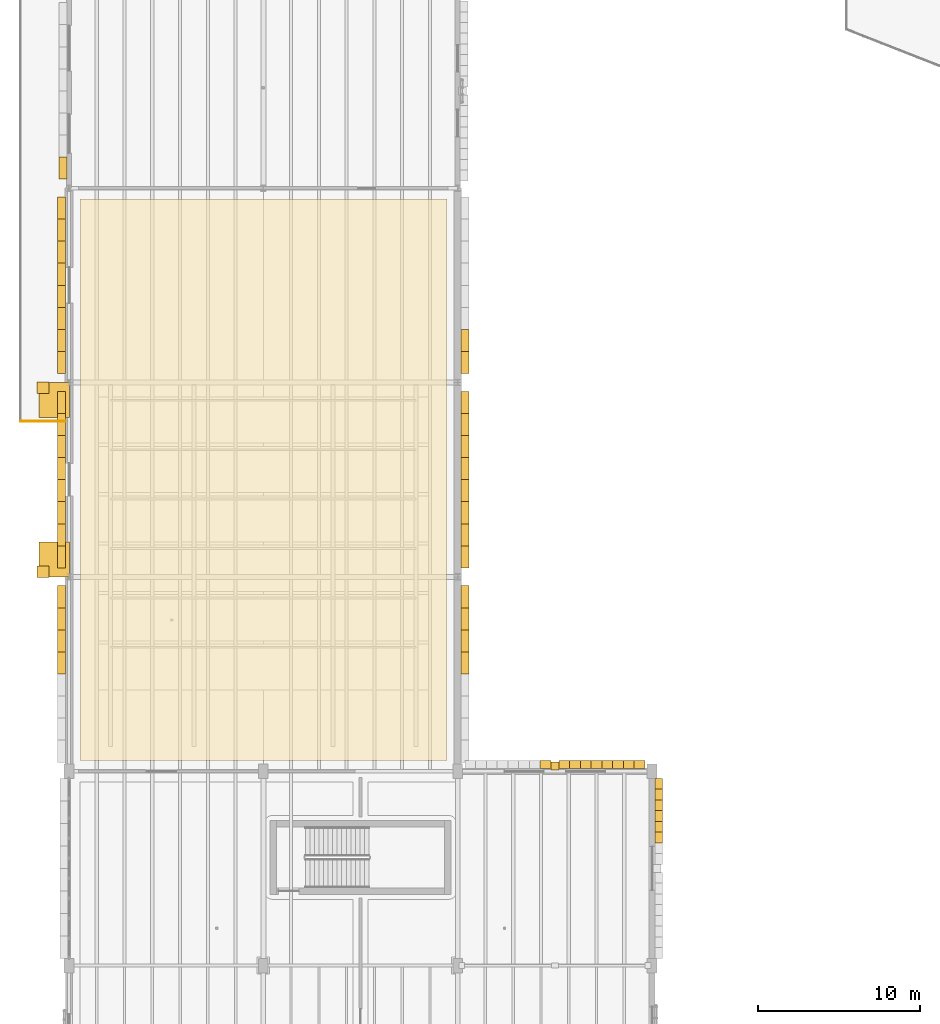
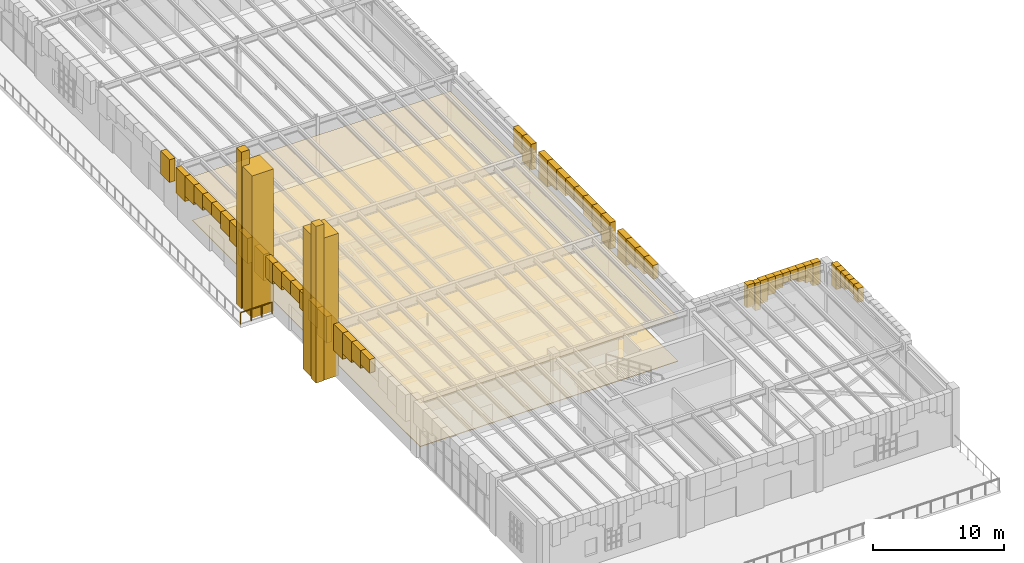
# One storey, part 73 of 103: 57 coverings, 1 railing.
"""IFC4 building model written with IfcOpenShell, lengths in metres."""

from ifc_helpers import new_model, si_unit, direction, frame, origin, origin_2d, place, context, subcontext, project, spatial, polyline, circle, outline, extrude, material, layer, layer_set, type_object, element, save


model = new_model("IFC4")

# Units and contexts
model_context = context("Model", 3, precision=1e-05, world=origin(), true_north=direction((0.0, 1.0)))
body_context = subcontext(model_context, "Body", "Model", "MODEL_VIEW")
ifc_project = project(units=[si_unit("LENGTHUNIT", "METRE"), si_unit("AREAUNIT", "SQUARE_METRE"), si_unit("VOLUMEUNIT", "CUBIC_METRE"), si_unit("PLANEANGLEUNIT", "RADIAN"), si_unit("MASSUNIT", "GRAM", prefix="KILO")], contexts=[model_context])

# Site, building, storey
site_placement = place(None, origin())
site = spatial("IfcSite", under=ifc_project, at=site_placement, CompositionType="ELEMENT")
building_placement = place(site_placement, origin())
building = spatial("IfcBuilding", under=site, at=building_placement, Name="Zlatogorsky Bluff Art Gallery", CompositionType="ELEMENT")
storey_placement = place(building_placement, origin())
storey = spatial("IfcBuildingStorey", under=building, at=storey_placement, Name="L00", CompositionType="ELEMENT", Elevation=0.0)

# Coverings
ifc_material_1 = material(Name="Perforated Gypsum Acoustic Board", Category="gypsum")
ifc_layer_1 = layer(ifc_material_1, 0.0400390625)
ifc_layer_set_1 = layer_set([ifc_layer_1], Name="Acoustic Gallery Ceiling CLG-01")
covering_type_1 = type_object("IfcCoveringType", Name="Acoustic Gallery Ceiling CLG-01", PredefinedType="CEILING", material=ifc_layer_set_1)
covering_1_placement = place(storey_placement, frame((0.0, 0.0, 4.050048828125)))
element("IfcCovering", 1, at=covering_1_placement, inside=storey, type_object=covering_type_1, Name="Raked Auditorium acoustic ceiling", PredefinedType="CEILING", context=body_context, shape_type="SweptSolid", body=[
    extrude(outline(polyline([(23.330078125, 61.72998046875), (23.330078125, 27.070068359375), (0.669921875, 27.070068359375), (0.669921875, 61.72998046875), (23.330078125, 61.72998046875)])), origin(), (0.0, 0.0, 1.0), 0.0400390625),
])
ifc_material_2 = material(Name="Honed Red Agra-Tone Quartzitic Sandstone", Category="masonry")
ifc_layer_2 = layer(ifc_material_2, 0.1201171875)
ifc_layer_set_2 = layer_set([ifc_layer_2], Name="Carved Sandstone Cladding CLD-02")
covering_type_2 = type_object("IfcCoveringType", Name="Carved Sandstone Cladding CLD-02", PredefinedType="CLADDING", material=ifc_layer_set_2)
covering_2_placement = place(storey_placement, frame((0.0, 0.0, 4.095458984375)))
element("IfcCovering", 2, at=covering_2_placement, inside=storey, type_object=covering_type_2, Name="Pointed Mughal arch voussoir spandrel WARCH-L00-W-00-03-A.5", PredefinedType="CLADDING", context=body_context, shape_type="SweptSolid", body=[
    extrude(outline(polyline([(-0.699951171875, 32.39990234375), (-0.699951171875, 33.762451171875), (-0.2099609375, 33.762451171875), (-0.2099609375, 32.39990234375), (-0.699951171875, 32.39990234375)])), origin(), (0.0, 0.0, 1.0), 1.2646484375),
])
covering_3_placement = place(storey_placement, frame((0.0, 0.0, 3.726806640625)))
element("IfcCovering", 3, at=covering_3_placement, inside=storey, type_object=covering_type_2, Name="Pointed Mughal arch voussoir spandrel WARCH-L00-W-00-03-A.6", PredefinedType="CLADDING", context=body_context, shape_type="SweptSolid", body=[
    extrude(outline(polyline([(-0.699951171875, 33.762451171875), (-0.699951171875, 35.125), (-0.2099609375, 35.125), (-0.2099609375, 33.762451171875), (-0.699951171875, 33.762451171875)])), origin(), (0.0, 0.0, 1.0), 1.63330078125),
])
covering_4_placement = place(storey_placement, frame((0.0, 0.0, 3.433837890625)))
element("IfcCovering", 4, at=covering_4_placement, inside=storey, type_object=covering_type_2, Name="Pointed Mughal arch voussoir spandrel WARCH-L00-W-00-03-A.7", PredefinedType="CLADDING", context=body_context, shape_type="SweptSolid", body=[
    extrude(outline(polyline([(-0.699951171875, 35.125), (-0.699951171875, 36.487548828125), (-0.2099609375, 36.487548828125), (-0.2099609375, 35.125), (-0.699951171875, 35.125)])), origin(), (0.0, 0.0, 1.0), 1.92626953125),
])
covering_5_placement = place(storey_placement, frame((0.0, 0.0, 2.90234375)))
element("IfcCovering", 5, at=covering_5_placement, inside=storey, type_object=covering_type_2, Name="Pointed Mughal arch voussoir spandrel WARCH-L00-W-00-03-A.8", PredefinedType="CLADDING", context=body_context, shape_type="SweptSolid", body=[
    extrude(outline(polyline([(-0.699951171875, 36.487548828125), (-0.699951171875, 37.85009765625), (-0.2099609375, 37.85009765625), (-0.2099609375, 36.487548828125), (-0.699951171875, 36.487548828125)])), origin(), (0.0, 0.0, 1.0), 2.457763671875),
])
covering_6_placement = place(storey_placement, frame((0.0, 0.0, 2.90234375)))
element("IfcCovering", 6, at=covering_6_placement, inside=storey, type_object=covering_type_2, Name="Pointed Mughal arch voussoir spandrel WARCH-L00-W-00-04-A.1", PredefinedType="CLADDING", context=body_context, shape_type="SweptSolid", body=[
    extrude(outline(polyline([(-0.699951171875, 38.949951171875), (-0.699951171875, 40.3125), (-0.2099609375, 40.3125), (-0.2099609375, 38.949951171875), (-0.699951171875, 38.949951171875)])), origin(), (0.0, 0.0, 1.0), 2.457763671875),
])
covering_7_placement = place(storey_placement, frame((0.0, 0.0, 3.433837890625)))
element("IfcCovering", 7, at=covering_7_placement, inside=storey, type_object=covering_type_2, Name="Pointed Mughal arch voussoir spandrel WARCH-L00-W-00-04-A.2", PredefinedType="CLADDING", context=body_context, shape_type="SweptSolid", body=[
    extrude(outline(polyline([(-0.699951171875, 40.3125), (-0.699951171875, 41.675048828125), (-0.2099609375, 41.675048828125), (-0.2099609375, 40.3125), (-0.699951171875, 40.3125)])), origin(), (0.0, 0.0, 1.0), 1.92626953125),
])
covering_8_placement = place(storey_placement, frame((0.0, 0.0, 3.726806640625)))
element("IfcCovering", 8, at=covering_8_placement, inside=storey, type_object=covering_type_2, Name="Pointed Mughal arch voussoir spandrel WARCH-L00-W-00-04-A.3", PredefinedType="CLADDING", context=body_context, shape_type="SweptSolid", body=[
    extrude(outline(polyline([(-0.699951171875, 41.675048828125), (-0.699951171875, 43.03759765625), (-0.2099609375, 43.03759765625), (-0.2099609375, 41.675048828125), (-0.699951171875, 41.675048828125)])), origin(), (0.0, 0.0, 1.0), 1.63330078125),
])
covering_9_placement = place(storey_placement, frame((0.0, 0.0, 4.095458984375)))
element("IfcCovering", 9, at=covering_9_placement, inside=storey, type_object=covering_type_2, Name="Pointed Mughal arch voussoir spandrel WARCH-L00-W-00-04-A.4", PredefinedType="CLADDING", context=body_context, shape_type="SweptSolid", body=[
    extrude(outline(polyline([(-0.699951171875, 43.03759765625), (-0.699951171875, 44.39990234375), (-0.2099609375, 44.39990234375), (-0.2099609375, 43.03759765625), (-0.699951171875, 43.03759765625)])), origin(), (0.0, 0.0, 1.0), 1.2646484375),
])
covering_10_placement = place(storey_placement, frame((0.0, 0.0, 4.095458984375)))
element("IfcCovering", 10, at=covering_10_placement, inside=storey, type_object=covering_type_2, Name="Pointed Mughal arch voussoir spandrel WARCH-L00-W-00-04-A.5", PredefinedType="CLADDING", context=body_context, shape_type="SweptSolid", body=[
    extrude(outline(polyline([(-0.699951171875, 44.39990234375), (-0.699951171875, 45.762451171875), (-0.2099609375, 45.762451171875), (-0.2099609375, 44.39990234375), (-0.699951171875, 44.39990234375)])), origin(), (0.0, 0.0, 1.0), 1.2646484375),
])
covering_11_placement = place(storey_placement, frame((0.0, 0.0, 3.726806640625)))
element("IfcCovering", 11, at=covering_11_placement, inside=storey, type_object=covering_type_2, Name="Pointed Mughal arch voussoir spandrel WARCH-L00-W-00-04-A.6", PredefinedType="CLADDING", context=body_context, shape_type="SweptSolid", body=[
    extrude(outline(polyline([(-0.699951171875, 45.762451171875), (-0.699951171875, 47.125), (-0.2099609375, 47.125), (-0.2099609375, 45.762451171875), (-0.699951171875, 45.762451171875)])), origin(), (0.0, 0.0, 1.0), 1.63330078125),
])
covering_12_placement = place(storey_placement, frame((0.0, 0.0, 3.433837890625)))
element("IfcCovering", 12, at=covering_12_placement, inside=storey, type_object=covering_type_2, Name="Pointed Mughal arch voussoir spandrel WARCH-L00-W-00-04-A.7", PredefinedType="CLADDING", context=body_context, shape_type="SweptSolid", body=[
    extrude(outline(polyline([(-0.699951171875, 47.125), (-0.699951171875, 48.487548828125), (-0.2099609375, 48.487548828125), (-0.2099609375, 47.125), (-0.699951171875, 47.125)])), origin(), (0.0, 0.0, 1.0), 1.92626953125),
])
covering_13_placement = place(storey_placement, frame((0.0, 0.0, 2.90234375)))
element("IfcCovering", 13, at=covering_13_placement, inside=storey, type_object=covering_type_2, Name="Pointed Mughal arch voussoir spandrel WARCH-L00-W-00-04-A.8", PredefinedType="CLADDING", context=body_context, shape_type="SweptSolid", body=[
    extrude(outline(polyline([(-0.699951171875, 48.487548828125), (-0.699951171875, 49.85009765625), (-0.2099609375, 49.85009765625), (-0.2099609375, 48.487548828125), (-0.699951171875, 48.487548828125)])), origin(), (0.0, 0.0, 1.0), 2.457763671875),
])
covering_14_placement = place(storey_placement, frame((0.0, 0.0, 3.00244140625)))
element("IfcCovering", 14, at=covering_14_placement, inside=storey, type_object=covering_type_2, Name="Pointed Mughal arch voussoir spandrel WARCH-L00-W-00-05-A.1", PredefinedType="CLADDING", context=body_context, shape_type="SweptSolid", body=[
    extrude(outline(polyline([(-0.699951171875, 50.949951171875), (-0.699951171875, 52.3125), (-0.2099609375, 52.3125), (-0.2099609375, 50.949951171875), (-0.699951171875, 50.949951171875)])), origin(), (0.0, 0.0, 1.0), 2.357666015625),
])
covering_15_placement = place(storey_placement, frame((0.0, 0.0, 3.53369140625)))
element("IfcCovering", 15, at=covering_15_placement, inside=storey, type_object=covering_type_2, Name="Pointed Mughal arch voussoir spandrel WARCH-L00-W-00-05-A.2", PredefinedType="CLADDING", context=body_context, shape_type="SweptSolid", body=[
    extrude(outline(polyline([(-0.699951171875, 52.3125), (-0.699951171875, 53.675048828125), (-0.2099609375, 53.675048828125), (-0.2099609375, 52.3125), (-0.699951171875, 52.3125)])), origin(), (0.0, 0.0, 1.0), 1.826416015625),
])
covering_16_placement = place(storey_placement, frame((0.0, 0.0, 3.82666015625)))
element("IfcCovering", 16, at=covering_16_placement, inside=storey, type_object=covering_type_2, Name="Pointed Mughal arch voussoir spandrel WARCH-L00-W-00-05-A.3", PredefinedType="CLADDING", context=body_context, shape_type="SweptSolid", body=[
    extrude(outline(polyline([(-0.699951171875, 53.675048828125), (-0.699951171875, 55.03759765625), (-0.2099609375, 55.03759765625), (-0.2099609375, 53.675048828125), (-0.699951171875, 53.675048828125)])), origin(), (0.0, 0.0, 1.0), 1.533447265625),
])
covering_17_placement = place(storey_placement, frame((0.0, 0.0, 4.1953125)))
element("IfcCovering", 17, at=covering_17_placement, inside=storey, type_object=covering_type_2, Name="Pointed Mughal arch voussoir spandrel WARCH-L00-W-00-05-A.4", PredefinedType="CLADDING", context=body_context, shape_type="SweptSolid", body=[
    extrude(outline(polyline([(-0.699951171875, 55.03759765625), (-0.699951171875, 56.39990234375), (-0.2099609375, 56.39990234375), (-0.2099609375, 55.03759765625), (-0.699951171875, 55.03759765625)])), origin(), (0.0, 0.0, 1.0), 1.164794921875),
])
covering_18_placement = place(storey_placement, frame((0.0, 0.0, 4.1953125)))
element("IfcCovering", 18, at=covering_18_placement, inside=storey, type_object=covering_type_2, Name="Pointed Mughal arch voussoir spandrel WARCH-L00-W-00-05-A.5", PredefinedType="CLADDING", context=body_context, shape_type="SweptSolid", body=[
    extrude(outline(polyline([(-0.699951171875, 56.39990234375), (-0.699951171875, 57.762451171875), (-0.2099609375, 57.762451171875), (-0.2099609375, 56.39990234375), (-0.699951171875, 56.39990234375)])), origin(), (0.0, 0.0, 1.0), 1.164794921875),
])
covering_19_placement = place(storey_placement, frame((0.0, 0.0, 3.82666015625)))
element("IfcCovering", 19, at=covering_19_placement, inside=storey, type_object=covering_type_2, Name="Pointed Mughal arch voussoir spandrel WARCH-L00-W-00-05-A.6", PredefinedType="CLADDING", context=body_context, shape_type="SweptSolid", body=[
    extrude(outline(polyline([(-0.699951171875, 57.762451171875), (-0.699951171875, 59.125), (-0.2099609375, 59.125), (-0.2099609375, 57.762451171875), (-0.699951171875, 57.762451171875)])), origin(), (0.0, 0.0, 1.0), 1.533447265625),
])
covering_20_placement = place(storey_placement, frame((0.0, 0.0, 3.53369140625)))
element("IfcCovering", 20, at=covering_20_placement, inside=storey, type_object=covering_type_2, Name="Pointed Mughal arch voussoir spandrel WARCH-L00-W-00-05-A.7", PredefinedType="CLADDING", context=body_context, shape_type="SweptSolid", body=[
    extrude(outline(polyline([(-0.699951171875, 59.125), (-0.699951171875, 60.487548828125), (-0.2099609375, 60.487548828125), (-0.2099609375, 59.125), (-0.699951171875, 59.125)])), origin(), (0.0, 0.0, 1.0), 1.826416015625),
])
covering_21_placement = place(storey_placement, frame((0.0, 0.0, 3.00244140625)))
element("IfcCovering", 21, at=covering_21_placement, inside=storey, type_object=covering_type_2, Name="Pointed Mughal arch voussoir spandrel WARCH-L00-W-00-05-A.8", PredefinedType="CLADDING", context=body_context, shape_type="SweptSolid", body=[
    extrude(outline(polyline([(-0.699951171875, 60.487548828125), (-0.699951171875, 61.85009765625), (-0.2099609375, 61.85009765625), (-0.2099609375, 60.487548828125), (-0.699951171875, 60.487548828125)])), origin(), (0.0, 0.0, 1.0), 2.357666015625),
])
covering_22_placement = place(storey_placement, frame((0.0, 0.0, 3.25244140625)))
element("IfcCovering", 22, at=covering_22_placement, inside=storey, type_object=covering_type_2, Name="Pointed Mughal arch voussoir spandrel WARCH-L00-W-00-06-A.1", PredefinedType="CLADDING", context=body_context, shape_type="SweptSolid", body=[
    extrude(outline(polyline([(-0.6201171875, 62.949951171875), (-0.6201171875, 64.3125), (-0.1298828125, 64.3125), (-0.1298828125, 62.949951171875), (-0.6201171875, 62.949951171875)])), origin(), (0.0, 0.0, 1.0), 2.107666015625),
])
covering_23_placement = place(storey_placement, frame((0.0, 0.0, 4.095458984375)))
element("IfcCovering", 23, at=covering_23_placement, inside=storey, type_object=covering_type_2, Name="Pointed Mughal arch voussoir spandrel WARCH-L00-E-01-03-A.5", PredefinedType="CLADDING", context=body_context, shape_type="SweptSolid", body=[
    extrude(outline(polyline([(24.2099609375, 32.39990234375), (24.2099609375, 33.762451171875), (24.699951171875, 33.762451171875), (24.699951171875, 32.39990234375), (24.2099609375, 32.39990234375)])), origin(), (0.0, 0.0, 1.0), 1.2646484375),
])
covering_24_placement = place(storey_placement, frame((0.0, 0.0, 3.726806640625)))
element("IfcCovering", 24, at=covering_24_placement, inside=storey, type_object=covering_type_2, Name="Pointed Mughal arch voussoir spandrel WARCH-L00-E-01-03-A.6", PredefinedType="CLADDING", context=body_context, shape_type="SweptSolid", body=[
    extrude(outline(polyline([(24.2099609375, 33.762451171875), (24.2099609375, 35.125), (24.699951171875, 35.125), (24.699951171875, 33.762451171875), (24.2099609375, 33.762451171875)])), origin(), (0.0, 0.0, 1.0), 1.63330078125),
])
covering_25_placement = place(storey_placement, frame((0.0, 0.0, 3.433837890625)))
element("IfcCovering", 25, at=covering_25_placement, inside=storey, type_object=covering_type_2, Name="Pointed Mughal arch voussoir spandrel WARCH-L00-E-01-03-A.7", PredefinedType="CLADDING", context=body_context, shape_type="SweptSolid", body=[
    extrude(outline(polyline([(24.2099609375, 35.125), (24.2099609375, 36.487548828125), (24.699951171875, 36.487548828125), (24.699951171875, 35.125), (24.2099609375, 35.125)])), origin(), (0.0, 0.0, 1.0), 1.92626953125),
])
covering_26_placement = place(storey_placement, frame((0.0, 0.0, 2.90234375)))
element("IfcCovering", 26, at=covering_26_placement, inside=storey, type_object=covering_type_2, Name="Pointed Mughal arch voussoir spandrel WARCH-L00-E-01-03-A.8", PredefinedType="CLADDING", context=body_context, shape_type="SweptSolid", body=[
    extrude(outline(polyline([(24.2099609375, 36.487548828125), (24.2099609375, 37.85009765625), (24.699951171875, 37.85009765625), (24.699951171875, 36.487548828125), (24.2099609375, 36.487548828125)])), origin(), (0.0, 0.0, 1.0), 2.457763671875),
])
covering_27_placement = place(storey_placement, frame((0.0, 0.0, 2.90234375)))
element("IfcCovering", 27, at=covering_27_placement, inside=storey, type_object=covering_type_2, Name="Pointed Mughal arch voussoir spandrel WARCH-L00-E-01-04-A.1", PredefinedType="CLADDING", context=body_context, shape_type="SweptSolid", body=[
    extrude(outline(polyline([(24.2099609375, 38.949951171875), (24.2099609375, 40.3125), (24.699951171875, 40.3125), (24.699951171875, 38.949951171875), (24.2099609375, 38.949951171875)])), origin(), (0.0, 0.0, 1.0), 2.457763671875),
])
covering_28_placement = place(storey_placement, frame((0.0, 0.0, 3.433837890625)))
element("IfcCovering", 28, at=covering_28_placement, inside=storey, type_object=covering_type_2, Name="Pointed Mughal arch voussoir spandrel WARCH-L00-E-01-04-A.2", PredefinedType="CLADDING", context=body_context, shape_type="SweptSolid", body=[
    extrude(outline(polyline([(24.2099609375, 40.3125), (24.2099609375, 41.675048828125), (24.699951171875, 41.675048828125), (24.699951171875, 40.3125), (24.2099609375, 40.3125)])), origin(), (0.0, 0.0, 1.0), 1.92626953125),
])
covering_29_placement = place(storey_placement, frame((0.0, 0.0, 3.726806640625)))
element("IfcCovering", 29, at=covering_29_placement, inside=storey, type_object=covering_type_2, Name="Pointed Mughal arch voussoir spandrel WARCH-L00-E-01-04-A.3", PredefinedType="CLADDING", context=body_context, shape_type="SweptSolid", body=[
    extrude(outline(polyline([(24.2099609375, 41.675048828125), (24.2099609375, 43.03759765625), (24.699951171875, 43.03759765625), (24.699951171875, 41.675048828125), (24.2099609375, 41.675048828125)])), origin(), (0.0, 0.0, 1.0), 1.63330078125),
])
covering_30_placement = place(storey_placement, frame((0.0, 0.0, 4.095458984375)))
element("IfcCovering", 30, at=covering_30_placement, inside=storey, type_object=covering_type_2, Name="Pointed Mughal arch voussoir spandrel WARCH-L00-E-01-04-A.4", PredefinedType="CLADDING", context=body_context, shape_type="SweptSolid", body=[
    extrude(outline(polyline([(24.2099609375, 43.03759765625), (24.2099609375, 44.39990234375), (24.699951171875, 44.39990234375), (24.699951171875, 43.03759765625), (24.2099609375, 43.03759765625)])), origin(), (0.0, 0.0, 1.0), 1.2646484375),
])
covering_31_placement = place(storey_placement, frame((0.0, 0.0, 4.095458984375)))
element("IfcCovering", 31, at=covering_31_placement, inside=storey, type_object=covering_type_2, Name="Pointed Mughal arch voussoir spandrel WARCH-L00-E-01-04-A.5", PredefinedType="CLADDING", context=body_context, shape_type="SweptSolid", body=[
    extrude(outline(polyline([(24.2099609375, 44.39990234375), (24.2099609375, 45.762451171875), (24.699951171875, 45.762451171875), (24.699951171875, 44.39990234375), (24.2099609375, 44.39990234375)])), origin(), (0.0, 0.0, 1.0), 1.2646484375),
])
covering_32_placement = place(storey_placement, frame((0.0, 0.0, 3.726806640625)))
element("IfcCovering", 32, at=covering_32_placement, inside=storey, type_object=covering_type_2, Name="Pointed Mughal arch voussoir spandrel WARCH-L00-E-01-04-A.6", PredefinedType="CLADDING", context=body_context, shape_type="SweptSolid", body=[
    extrude(outline(polyline([(24.2099609375, 45.762451171875), (24.2099609375, 47.125), (24.699951171875, 47.125), (24.699951171875, 45.762451171875), (24.2099609375, 45.762451171875)])), origin(), (0.0, 0.0, 1.0), 1.63330078125),
])
covering_33_placement = place(storey_placement, frame((0.0, 0.0, 3.433837890625)))
element("IfcCovering", 33, at=covering_33_placement, inside=storey, type_object=covering_type_2, Name="Pointed Mughal arch voussoir spandrel WARCH-L00-E-01-04-A.7", PredefinedType="CLADDING", context=body_context, shape_type="SweptSolid", body=[
    extrude(outline(polyline([(24.2099609375, 47.125), (24.2099609375, 48.487548828125), (24.699951171875, 48.487548828125), (24.699951171875, 47.125), (24.2099609375, 47.125)])), origin(), (0.0, 0.0, 1.0), 1.92626953125),
])
covering_34_placement = place(storey_placement, frame((0.0, 0.0, 2.90234375)))
element("IfcCovering", 34, at=covering_34_placement, inside=storey, type_object=covering_type_2, Name="Pointed Mughal arch voussoir spandrel WARCH-L00-E-01-04-A.8", PredefinedType="CLADDING", context=body_context, shape_type="SweptSolid", body=[
    extrude(outline(polyline([(24.2099609375, 48.487548828125), (24.2099609375, 49.85009765625), (24.699951171875, 49.85009765625), (24.699951171875, 48.487548828125), (24.2099609375, 48.487548828125)])), origin(), (0.0, 0.0, 1.0), 2.457763671875),
])
covering_35_placement = place(storey_placement, frame((0.0, 0.0, 3.00244140625)))
element("IfcCovering", 35, at=covering_35_placement, inside=storey, type_object=covering_type_2, Name="Pointed Mughal arch voussoir spandrel WARCH-L00-E-01-05-A.1", PredefinedType="CLADDING", context=body_context, shape_type="SweptSolid", body=[
    extrude(outline(polyline([(24.2099609375, 50.949951171875), (24.2099609375, 52.3125), (24.699951171875, 52.3125), (24.699951171875, 50.949951171875), (24.2099609375, 50.949951171875)])), origin(), (0.0, 0.0, 1.0), 2.357666015625),
])
covering_36_placement = place(storey_placement, frame((0.0, 0.0, 3.53369140625)))
element("IfcCovering", 36, at=covering_36_placement, inside=storey, type_object=covering_type_2, Name="Pointed Mughal arch voussoir spandrel WARCH-L00-E-01-05-A.2", PredefinedType="CLADDING", context=body_context, shape_type="SweptSolid", body=[
    extrude(outline(polyline([(24.2099609375, 52.3125), (24.2099609375, 53.675048828125), (24.699951171875, 53.675048828125), (24.699951171875, 52.3125), (24.2099609375, 52.3125)])), origin(), (0.0, 0.0, 1.0), 1.826416015625),
])
covering_37_placement = place(storey_placement, frame((0.0, 0.0, 2.81005859375)))
element("IfcCovering", 37, at=covering_37_placement, inside=storey, type_object=covering_type_2, Name="Mughal blind-arch sandstone pilaster L00.N.2.2", PredefinedType="CLADDING", context=body_context, shape_type="SweptSolid", body=[
    extrude(outline(polyline([(29.760009765625, 26.47998046875), (30.239990234375, 26.47998046875), (30.239990234375, 26.9599609375), (29.760009765625, 26.9599609375), (29.760009765625, 26.47998046875)])), origin(), (0.0, 0.0, 1.0), 2.550048828125),
])
covering_38_placement = place(storey_placement, frame((0.0, 0.0, 3.25244140625)))
element("IfcCovering", 38, at=covering_38_placement, inside=storey, type_object=covering_type_2, Name="Pointed Mughal arch voussoir spandrel WARCH-L00-N-02-02-A.8", PredefinedType="CLADDING", context=body_context, shape_type="SweptSolid", body=[
    extrude(outline(polyline([(29.08740234375, 26.570068359375), (29.75, 26.570068359375), (29.75, 27.06005859375), (29.08740234375, 27.06005859375), (29.08740234375, 26.570068359375)])), origin(), (0.0, 0.0, 1.0), 2.107666015625),
])
covering_39_placement = place(storey_placement, frame((0.0, 0.0, 3.25244140625)))
element("IfcCovering", 39, at=covering_39_placement, inside=storey, type_object=covering_type_2, Name="Pointed Mughal arch voussoir spandrel WARCH-L00-N-02-02-B.1", PredefinedType="CLADDING", context=body_context, shape_type="SweptSolid", body=[
    extrude(outline(polyline([(30.25, 26.570068359375), (30.91259765625, 26.570068359375), (30.91259765625, 27.06005859375), (30.25, 27.06005859375), (30.25, 26.570068359375)])), origin(), (0.0, 0.0, 1.0), 2.107666015625),
])
covering_40_placement = place(storey_placement, frame((0.0, 0.0, 3.78369140625)))
element("IfcCovering", 40, at=covering_40_placement, inside=storey, type_object=covering_type_2, Name="Pointed Mughal arch voussoir spandrel WARCH-L00-N-02-02-B.2", PredefinedType="CLADDING", context=body_context, shape_type="SweptSolid", body=[
    extrude(outline(polyline([(30.91259765625, 26.570068359375), (31.574951171875, 26.570068359375), (31.574951171875, 27.06005859375), (30.91259765625, 27.06005859375), (30.91259765625, 26.570068359375)])), origin(), (0.0, 0.0, 1.0), 1.576416015625),
])
covering_41_placement = place(storey_placement, frame((0.0, 0.0, 4.07666015625)))
element("IfcCovering", 41, at=covering_41_placement, inside=storey, type_object=covering_type_2, Name="Pointed Mughal arch voussoir spandrel WARCH-L00-N-02-02-B.3", PredefinedType="CLADDING", context=body_context, shape_type="SweptSolid", body=[
    extrude(outline(polyline([(31.574951171875, 26.570068359375), (32.237548828125, 26.570068359375), (32.237548828125, 27.06005859375), (31.574951171875, 27.06005859375), (31.574951171875, 26.570068359375)])), origin(), (0.0, 0.0, 1.0), 1.283447265625),
])
covering_42_placement = place(storey_placement, frame((0.0, 0.0, 4.4453125)))
element("IfcCovering", 42, at=covering_42_placement, inside=storey, type_object=covering_type_2, Name="Pointed Mughal arch voussoir spandrel WARCH-L00-N-02-02-B.4", PredefinedType="CLADDING", context=body_context, shape_type="SweptSolid", body=[
    extrude(outline(polyline([(32.237548828125, 26.570068359375), (32.89990234375, 26.570068359375), (32.89990234375, 27.06005859375), (32.237548828125, 27.06005859375), (32.237548828125, 26.570068359375)])), origin(), (0.0, 0.0, 1.0), 0.914794921875),
])
covering_43_placement = place(storey_placement, frame((0.0, 0.0, 4.4453125)))
element("IfcCovering", 43, at=covering_43_placement, inside=storey, type_object=covering_type_2, Name="Pointed Mughal arch voussoir spandrel WARCH-L00-N-02-02-B.5", PredefinedType="CLADDING", context=body_context, shape_type="SweptSolid", body=[
    extrude(outline(polyline([(32.89990234375, 26.570068359375), (33.5625, 26.570068359375), (33.5625, 27.06005859375), (32.89990234375, 27.06005859375), (32.89990234375, 26.570068359375)])), origin(), (0.0, 0.0, 1.0), 0.914794921875),
])
covering_44_placement = place(storey_placement, frame((0.0, 0.0, 4.07666015625)))
element("IfcCovering", 44, at=covering_44_placement, inside=storey, type_object=covering_type_2, Name="Pointed Mughal arch voussoir spandrel WARCH-L00-N-02-02-B.6", PredefinedType="CLADDING", context=body_context, shape_type="SweptSolid", body=[
    extrude(outline(polyline([(33.5625, 26.570068359375), (34.22509765625, 26.570068359375), (34.22509765625, 27.06005859375), (33.5625, 27.06005859375), (33.5625, 26.570068359375)])), origin(), (0.0, 0.0, 1.0), 1.283447265625),
])
covering_45_placement = place(storey_placement, frame((0.0, 0.0, 3.78369140625)))
element("IfcCovering", 45, at=covering_45_placement, inside=storey, type_object=covering_type_2, Name="Pointed Mughal arch voussoir spandrel WARCH-L00-N-02-02-B.7", PredefinedType="CLADDING", context=body_context, shape_type="SweptSolid", body=[
    extrude(outline(polyline([(34.22509765625, 26.570068359375), (34.887451171875, 26.570068359375), (34.887451171875, 27.06005859375), (34.22509765625, 27.06005859375), (34.22509765625, 26.570068359375)])), origin(), (0.0, 0.0, 1.0), 1.576416015625),
])
covering_46_placement = place(storey_placement, frame((0.0, 0.0, 3.25244140625)))
element("IfcCovering", 46, at=covering_46_placement, inside=storey, type_object=covering_type_2, Name="Pointed Mughal arch voussoir spandrel WARCH-L00-N-02-02-B.8", PredefinedType="CLADDING", context=body_context, shape_type="SweptSolid", body=[
    extrude(outline(polyline([(34.887451171875, 26.570068359375), (35.550048828125, 26.570068359375), (35.550048828125, 27.06005859375), (34.887451171875, 27.06005859375), (34.887451171875, 26.570068359375)])), origin(), (0.0, 0.0, 1.0), 2.107666015625),
])
covering_47_placement = place(storey_placement, frame((0.0, 0.0, 4.07666015625)))
element("IfcCovering", 47, at=covering_47_placement, inside=storey, type_object=covering_type_2, Name="Pointed Mughal arch voussoir spandrel WARCH-L00-E-02-02-B.3", PredefinedType="CLADDING", context=body_context, shape_type="SweptSolid", body=[
    extrude(outline(polyline([(36.169921875, 21.97509765625), (36.169921875, 22.637451171875), (36.659912109375, 22.637451171875), (36.659912109375, 21.97509765625), (36.169921875, 21.97509765625)])), origin(), (0.0, 0.0, 1.0), 1.283447265625),
])
covering_48_placement = place(storey_placement, frame((0.0, 0.0, 4.4453125)))
element("IfcCovering", 48, at=covering_48_placement, inside=storey, type_object=covering_type_2, Name="Pointed Mughal arch voussoir spandrel WARCH-L00-E-02-02-B.4", PredefinedType="CLADDING", context=body_context, shape_type="SweptSolid", body=[
    extrude(outline(polyline([(36.169921875, 22.637451171875), (36.169921875, 23.300048828125), (36.659912109375, 23.300048828125), (36.659912109375, 22.637451171875), (36.169921875, 22.637451171875)])), origin(), (0.0, 0.0, 1.0), 0.914794921875),
])
covering_49_placement = place(storey_placement, frame((0.0, 0.0, 4.4453125)))
element("IfcCovering", 49, at=covering_49_placement, inside=storey, type_object=covering_type_2, Name="Pointed Mughal arch voussoir spandrel WARCH-L00-E-02-02-B.5", PredefinedType="CLADDING", context=body_context, shape_type="SweptSolid", body=[
    extrude(outline(polyline([(36.169921875, 23.300048828125), (36.169921875, 23.96240234375), (36.659912109375, 23.96240234375), (36.659912109375, 23.300048828125), (36.169921875, 23.300048828125)])), origin(), (0.0, 0.0, 1.0), 0.914794921875),
])
covering_50_placement = place(storey_placement, frame((0.0, 0.0, 4.07666015625)))
element("IfcCovering", 50, at=covering_50_placement, inside=storey, type_object=covering_type_2, Name="Pointed Mughal arch voussoir spandrel WARCH-L00-E-02-02-B.6", PredefinedType="CLADDING", context=body_context, shape_type="SweptSolid", body=[
    extrude(outline(polyline([(36.169921875, 23.96240234375), (36.169921875, 24.625), (36.659912109375, 24.625), (36.659912109375, 23.96240234375), (36.169921875, 23.96240234375)])), origin(), (0.0, 0.0, 1.0), 1.283447265625),
])
covering_51_placement = place(storey_placement, frame((0.0, 0.0, 3.78369140625)))
element("IfcCovering", 51, at=covering_51_placement, inside=storey, type_object=covering_type_2, Name="Pointed Mughal arch voussoir spandrel WARCH-L00-E-02-02-B.7", PredefinedType="CLADDING", context=body_context, shape_type="SweptSolid", body=[
    extrude(outline(polyline([(36.169921875, 24.625), (36.169921875, 25.28759765625), (36.659912109375, 25.28759765625), (36.659912109375, 24.625), (36.169921875, 24.625)])), origin(), (0.0, 0.0, 1.0), 1.576416015625),
])
covering_52_placement = place(storey_placement, frame((0.0, 0.0, 3.25244140625)))
element("IfcCovering", 52, at=covering_52_placement, inside=storey, type_object=covering_type_2, Name="Pointed Mughal arch voussoir spandrel WARCH-L00-E-02-02-B.8", PredefinedType="CLADDING", context=body_context, shape_type="SweptSolid", body=[
    extrude(outline(polyline([(36.169921875, 25.28759765625), (36.169921875, 25.949951171875), (36.659912109375, 25.949951171875), (36.659912109375, 25.28759765625), (36.169921875, 25.28759765625)])), origin(), (0.0, 0.0, 1.0), 2.107666015625),
])
covering_53_placement = place(storey_placement, origin())
element("IfcCovering", 53, at=covering_53_placement, inside=storey, type_object=covering_type_2, Name="Monumental Pishtaq portal pier PISHTAQ-SW-AUD.L", PredefinedType="CLADDING", context=body_context, shape_type="SweptSolid", body=[
    extrude(outline(polyline([(-1.85009765625, 38.39990234375), (-1.85009765625, 40.550048828125), (0.0400390625, 40.550048828125), (0.0400390625, 38.39990234375), (-1.85009765625, 38.39990234375)])), origin(), (0.0, 0.0, 1.0), 13.199951171875),
])
covering_54_placement = place(storey_placement, origin())
element("IfcCovering", 54, at=covering_54_placement, inside=storey, type_object=covering_type_2, Name="Monumental Pishtaq portal pier PISHTAQ-SW-AUD.R", PredefinedType="CLADDING", context=body_context, shape_type="SweptSolid", body=[
    extrude(outline(polyline([(-1.85009765625, 48.25), (-1.85009765625, 50.39990234375), (0.0400390625, 50.39990234375), (0.0400390625, 48.25), (-1.85009765625, 48.25)])), origin(), (0.0, 0.0, 1.0), 13.199951171875),
])

# Railing
ifc_material_3 = material(Name="Architectural Bronze and Laminated Glass", Category="glass")
railing_type = type_object("IfcRailingType", Name="Gallery Guard Rail 1100mm", PredefinedType="GUARDRAIL", material=ifc_material_3)
railing_placement = place(storey_placement, frame((-0.22998046875, 48.0, 0.0)))
element("IfcRailing", 55, at=railing_placement, inside=storey, type_object=railing_type, Name="Upper bluff terrace perimeter balustrade NSK-01", PredefinedType="GUARDRAIL", context=body_context, shape_type="SweptSolid", body=[
    extrude(circle(Radius=0.02392578125, at=origin_2d()), frame((0.0, 0.0, 1.076171875), z_axis=(-1.0, 0.0, 0.0), x_axis=(0.0, -1.0, 0.0)), (0.0, 0.0, 1.0), 2.77001953125),
    extrude(circle(Radius=0.02099609375, at=origin_2d()), origin(), (0.0, 0.0, 1.0), 1.052001953125),
    extrude(circle(Radius=0.02099609375, at=origin_2d()), frame((-0.92333984375, 0.0, 0.0)), (0.0, 0.0, 1.0), 1.052001953125),
    extrude(circle(Radius=0.02099609375, at=origin_2d()), frame((-1.8466796875, 0.0, 0.0)), (0.0, 0.0, 1.0), 1.052001953125),
    extrude(circle(Radius=0.02099609375, at=origin_2d()), frame((-2.77001953125, 0.0, 0.0)), (0.0, 0.0, 1.0), 1.052001953125),
])

# Coverings
ifc_material_4 = material(Name="Polished Ural Marble Terrazzo", Category="masonry")
ifc_layer_3 = layer(ifc_material_4, 0.050048828125)
ifc_layer_set_3 = layer_set([ifc_layer_3], Name="Terrazzo Gallery Flooring FLR-01")
covering_type_3 = type_object("IfcCoveringType", Name="Terrazzo Gallery Flooring FLR-01", PredefinedType="FLOORING", material=ifc_layer_set_3)
covering_55_placement = place(storey_placement, origin())
element("IfcCovering", 56, at=covering_55_placement, inside=storey, type_object=covering_type_3, Name="Raked Auditorium terrazzo floor finish", PredefinedType="FLOORING", context=body_context, shape_type="SweptSolid", body=[
    extrude(outline(polyline([(23.330078125, 61.72998046875), (23.330078125, 27.070068359375), (0.669921875, 27.070068359375), (0.669921875, 61.72998046875), (23.330078125, 61.72998046875)])), origin(), (0.0, 0.0, 1.0), 0.050048828125),
])
ifc_material_5 = material(Name="Patinated Architectural Bronze Fin", Category="metal")
ifc_layer_4 = layer(ifc_material_5, 0.110107421875)
ifc_layer_set_4 = layer_set([ifc_layer_4], Name="Vertical Gallery Fin FIN-01")
covering_type_4 = type_object("IfcCoveringType", Name="Vertical Gallery Fin FIN-01", PredefinedType="CLADDING", material=ifc_layer_set_4)
covering_56_placement = place(storey_placement, origin())
element("IfcCovering", 57, at=covering_56_placement, inside=storey, type_object=covering_type_4, Name="Pishtaq corner guldasta turret PISHTAQ-SW-AUD.L", PredefinedType="CLADDING", context=body_context, shape_type="SweptSolid", body=[
    extrude(outline(polyline([(-1.9599609375, 38.360107421875), (-1.239990234375, 38.360107421875), (-1.239990234375, 39.080078125), (-1.9599609375, 39.080078125), (-1.9599609375, 38.360107421875)])), origin(), (0.0, 0.0, 1.0), 14.550048828125),
])
covering_57_placement = place(storey_placement, origin())
element("IfcCovering", 58, at=covering_57_placement, inside=storey, type_object=covering_type_4, Name="Pishtaq corner guldasta turret PISHTAQ-SW-AUD.R", PredefinedType="CLADDING", context=body_context, shape_type="SweptSolid", body=[
    extrude(outline(polyline([(-1.9599609375, 49.719970703125), (-1.239990234375, 49.719970703125), (-1.239990234375, 50.43994140625), (-1.9599609375, 50.43994140625), (-1.9599609375, 49.719970703125)])), origin(), (0.0, 0.0, 1.0), 14.550048828125),
])

save(model, "model.ifc")
